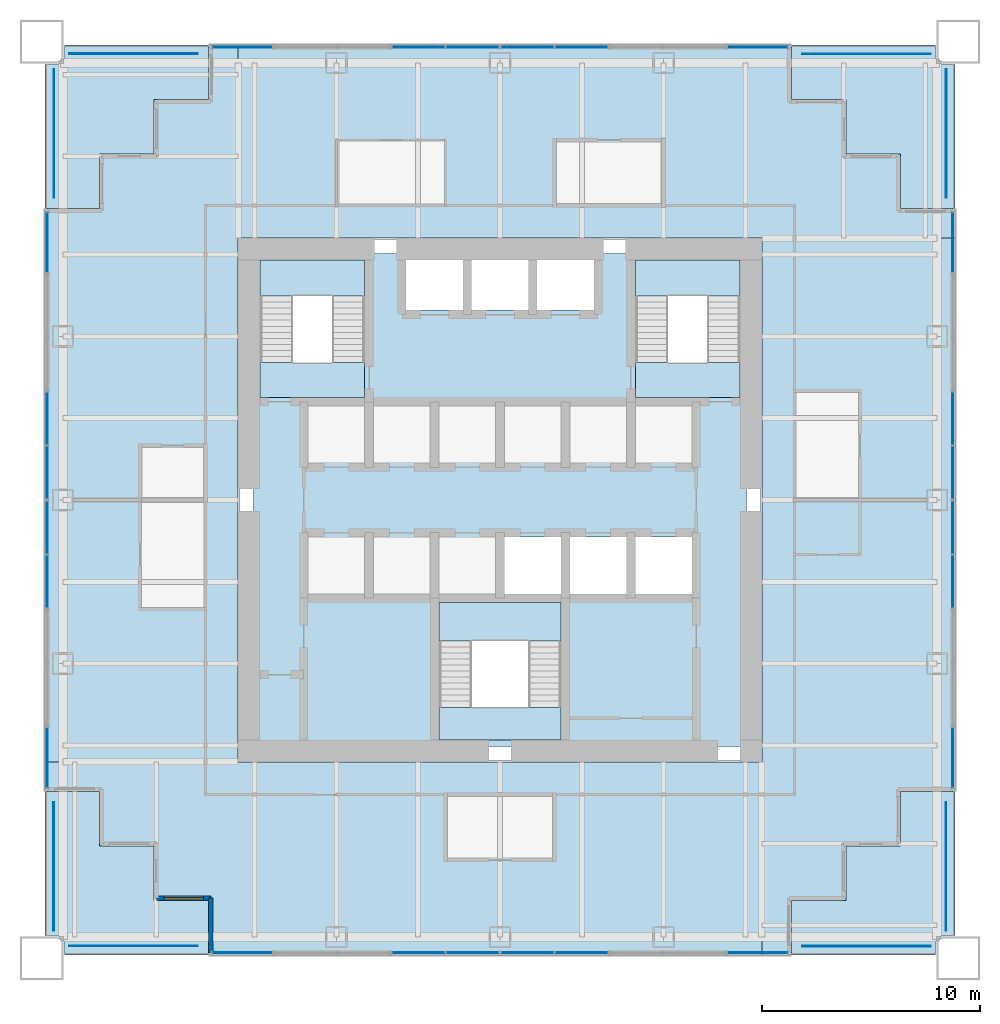
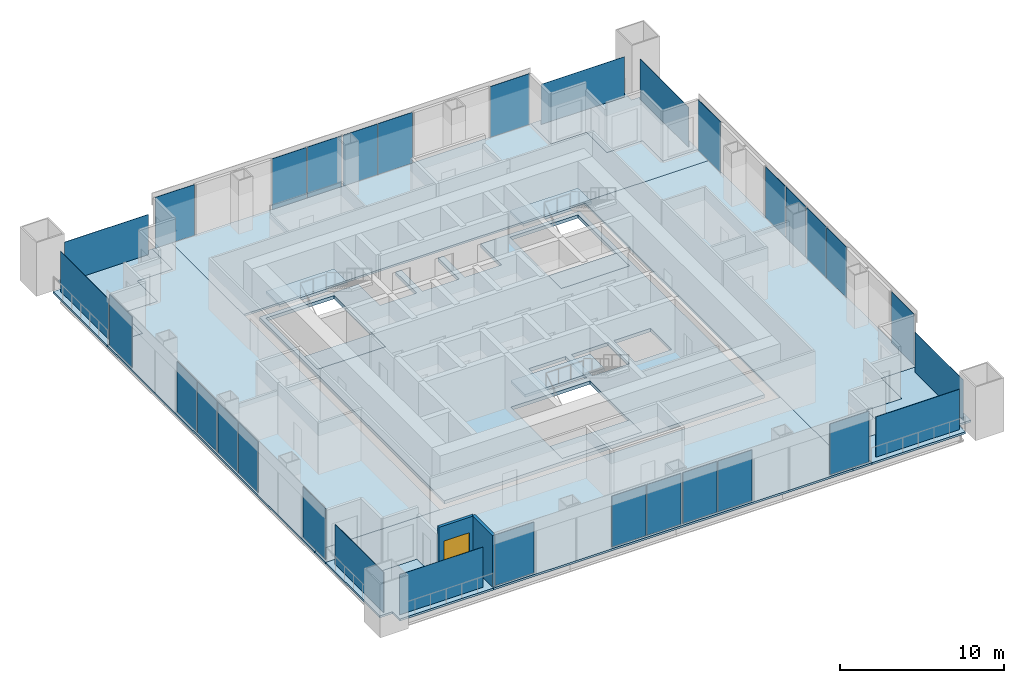
# One storey, part 8 of 14: 32 plates, 15 slabs, 2 walls, 1 window, 1 opening, 19 elements without a shape of their own.
"""IFC4 building model written with IfcOpenShell, lengths in metres."""

from ifc_helpers import new_model, si_unit, direction, frame, frame_2d, origin, origin_2d, place, context, subcontext, project, spatial, polyline, rectangle, outline, extrude, material, layer, layer_set, type_object, element, fill, aggregate, save


model = new_model("IFC4")

# Units and contexts
model_context = context("Model", 3, precision=1e-05, world=origin(), true_north=direction((0.0, 1.0)))
body_context = subcontext(model_context, "Body", "Model", "MODEL_VIEW")
ifc_project = project(units=[si_unit("LENGTHUNIT", "METRE"), si_unit("AREAUNIT", "SQUARE_METRE"), si_unit("VOLUMEUNIT", "CUBIC_METRE"), si_unit("PLANEANGLEUNIT", "RADIAN"), si_unit("MASSUNIT", "GRAM", prefix="KILO")], contexts=[model_context])

# Site, building, storey
site_placement = place(None, origin())
site = spatial("IfcSite", under=ifc_project, at=site_placement, CompositionType="ELEMENT")
building_placement = place(site_placement, origin())
building = spatial("IfcBuilding", under=site, at=building_placement, Name="Tarangal Relay Tower", CompositionType="ELEMENT")
storey_placement = place(building_placement, frame((0.0, 0.0, 283.89990234375)))
storey = spatial("IfcBuildingStorey", under=building, at=storey_placement, Name="L62", CompositionType="ELEMENT", Elevation=283.89990234375)

# Slabs
ifc_material_1 = material(Name="Concrete fc' 35 MPa", Category="concrete")
ifc_layer_1 = layer(ifc_material_1, 0.25)
ifc_layer_set_1 = layer_set([ifc_layer_1], Name="Core floor slab 250")
slab_type_1 = type_object("IfcSlabType", Name="Core floor slab 250", PredefinedType="FLOOR", material=ifc_layer_set_1)
slab_1_placement = place(storey_placement, frame((0.0, 0.0, -0.25)))
element("IfcSlab", 1, at=slab_1_placement, inside=storey, type_object=slab_type_1, Name="Core floor slab L62", PredefinedType="FLOOR", context=body_context, shape_type="SweptSolid", body=[
    extrude(outline(polyline([(11.300048828125, 11.300048828125), (11.300048828125, -11.300048828125), (-11.300048828125, -11.300048828125), (-11.300048828125, 11.300048828125), (-4.300048828125, 11.300048828125), (-4.300048828125, 8.699951171875), (-1.699951171875, 8.699951171875), (-1.699951171875, 11.300048828125), (-1.300048828125, 11.300048828125), (-1.300048828125, 8.699951171875), (1.300048828125, 8.699951171875), (1.300048828125, 11.300048828125), (1.699951171875, 11.300048828125), (1.699951171875, 8.699951171875), (4.300048828125, 8.699951171875), (4.300048828125, 11.300048828125), (11.300048828125, 11.300048828125)]), holes=[polyline([(2.800048828125, -4.699951171875), (-2.800048828125, -4.699951171875), (-2.800048828125, -11.0), (2.800048828125, -11.0), (2.800048828125, -4.699951171875)]), polyline([(2.800048828125, -1.699951171875), (0.199951171875, -1.699951171875), (0.199951171875, -4.300048828125), (2.800048828125, -4.300048828125), (2.800048828125, -1.699951171875)]), polyline([(5.800048828125, -1.699951171875), (3.199951171875, -1.699951171875), (3.199951171875, -4.300048828125), (5.800048828125, -4.300048828125), (5.800048828125, -1.699951171875)]), polyline([(8.800048828125, -1.699951171875), (6.199951171875, -1.699951171875), (6.199951171875, -4.300048828125), (8.800048828125, -4.300048828125), (8.800048828125, -1.699951171875)]), polyline([(-6.199951171875, 11.0), (-11.0, 11.0), (-11.0, 4.699951171875), (-6.199951171875, 4.699951171875), (-6.199951171875, 11.0)]), polyline([(11.0, 11.0), (6.199951171875, 11.0), (6.199951171875, 4.699951171875), (11.0, 4.699951171875), (11.0, 11.0)])]), origin(), (0.0, 0.0, 1.0), 0.25),
])
ifc_layer_2 = layer(ifc_material_1, 0.14990234375)
ifc_layer_set_2 = layer_set([ifc_layer_2], Name="Floor slab 150")
slab_type_2 = type_object("IfcSlabType", Name="Floor slab 150", PredefinedType="FLOOR", material=ifc_layer_set_2)
slab_2_placement = place(storey_placement, frame((0.0, 0.0, -0.14990234375)))
element("IfcSlab", 2, at=slab_2_placement, inside=storey, type_object=slab_type_2, Name="Floor slab FS3 L62 north bay", PredefinedType="FLOOR", context=body_context, shape_type="SweptSolid", body=[
    extrude(outline(polyline([(13.35009765625, 20.85009765625), (13.35009765625, 18.35009765625), (15.85009765625, 18.35009765625), (15.85009765625, 15.85009765625), (18.35009765625, 15.85009765625), (18.35009765625, 13.35009765625), (20.85009765625, 13.35009765625), (20.85009765625, 12.0), (-12.0, 12.0), (-12.0, 20.85009765625), (13.35009765625, 20.85009765625)])), origin(), (0.0, 0.0, 1.0), 0.14990234375),
])
slab_3_placement = place(storey_placement, frame((0.0, 0.0, -0.14990234375)))
element("IfcSlab", 3, at=slab_3_placement, inside=storey, type_object=slab_type_2, Name="Floor slab FS3 L62 east bay", PredefinedType="FLOOR", context=body_context, shape_type="SweptSolid", body=[
    extrude(outline(polyline([(20.85009765625, -13.35009765625), (18.35009765625, -13.35009765625), (18.35009765625, -15.85009765625), (15.85009765625, -15.85009765625), (15.85009765625, -18.35009765625), (13.35009765625, -18.35009765625), (13.35009765625, -20.85009765625), (12.0, -20.85009765625), (12.0, 12.0), (20.85009765625, 12.0), (20.85009765625, -13.35009765625)])), origin(), (0.0, 0.0, 1.0), 0.14990234375),
])
slab_4_placement = place(storey_placement, frame((0.0, 0.0, -0.14990234375)))
element("IfcSlab", 4, at=slab_4_placement, inside=storey, type_object=slab_type_2, Name="Floor slab FS3 L62 south bay", PredefinedType="FLOOR", context=body_context, shape_type="SweptSolid", body=[
    extrude(outline(polyline([(-13.35009765625, -20.85009765625), (-13.35009765625, -18.35009765625), (-15.85009765625, -18.35009765625), (-15.85009765625, -15.85009765625), (-18.35009765625, -15.85009765625), (-18.35009765625, -13.35009765625), (-20.85009765625, -13.35009765625), (-20.85009765625, -12.0), (12.0, -12.0), (12.0, -20.85009765625), (-13.35009765625, -20.85009765625)])), origin(), (0.0, 0.0, 1.0), 0.14990234375),
])
slab_5_placement = place(storey_placement, frame((0.0, 0.0, -0.14990234375)))
element("IfcSlab", 5, at=slab_5_placement, inside=storey, type_object=slab_type_2, Name="Floor slab FS3 L62 west bay", PredefinedType="FLOOR", context=body_context, shape_type="SweptSolid", body=[
    extrude(outline(polyline([(-12.0, 20.85009765625), (-12.0, -12.0), (-20.85009765625, -12.0), (-20.85009765625, 13.35009765625), (-18.35009765625, 13.35009765625), (-18.35009765625, 15.85009765625), (-15.85009765625, 15.85009765625), (-15.85009765625, 18.35009765625), (-13.35009765625, 18.35009765625), (-13.35009765625, 20.85009765625), (-12.0, 20.85009765625)])), origin(), (0.0, 0.0, 1.0), 0.14990234375),
])

# Curtain wall, plate
ifc_material_2 = material(Name="Unitised curtain wall, dark glass and black aluminium", Category="aluminium")
curtain_wall_type = type_object("IfcCurtainWallType", Name="Curtain wall CW-B", PredefinedType="USERDEFINED", material=ifc_material_2)
curtain_wall_1_placement = place(storey_placement, origin())
curtain_wall_1 = element("IfcCurtainWall", 6, at=curtain_wall_1_placement, inside=storey, type_object=curtain_wall_type, Name="Curtain wall CW-B N facade L62", ObjectType="UNITISED CURTAIN WALL", PredefinedType="USERDEFINED")
ifc_material_3 = material(Name="Dark tinted insulated glass unit", Category="glass")
ifc_layer_3 = layer(ifc_material_3, 0.030029296875)
ifc_layer_set_3 = layer_set([ifc_layer_3], Name="Glazed panel CW-B 30")
plate_type_1 = type_object("IfcPlateType", Name="Glazed panel CW-B 30", PredefinedType="CURTAIN_PANEL", material=ifc_layer_set_3)
plate_1_placement = place(storey_placement, frame((-11.8125, 20.75, 0.06005859375), z_axis=(0.0, 0.0, 1.0), x_axis=(1.0, 0.0, 0.0)))
plate_1 = element("IfcPlate", 7, at=plate_1_placement, type_object=plate_type_1, Name="CW-B panel 1.1", PredefinedType="CURTAIN_PANEL", context=body_context, shape_type="SweptSolid", body=[
    extrude(rectangle(XDim=2.7548828125, YDim=0.030029296875, at=origin_2d()), origin(), (0.0, 0.0, 1.0), 3.7900390625),
])
aggregate(curtain_wall_1, [plate_1])

# Curtain wall, plates
curtain_wall_2_placement = place(storey_placement, origin())
curtain_wall_2 = element("IfcCurtainWall", 8, at=curtain_wall_2_placement, inside=storey, type_object=curtain_wall_type, Name="Curtain wall CW-B N facade L62", ObjectType="UNITISED CURTAIN WALL", PredefinedType="USERDEFINED")
plate_2_placement = place(storey_placement, frame((-3.735107421875, 20.75, 0.06005859375), z_axis=(0.0, 0.0, 1.0), x_axis=(1.0, 0.0, 0.0)))
plate_2 = element("IfcPlate", 9, at=plate_2_placement, type_object=plate_type_1, Name="CW-B panel 1.1", PredefinedType="CURTAIN_PANEL", context=body_context, shape_type="SweptSolid", body=[
    extrude(rectangle(XDim=2.409912109375, YDim=0.030029296875, at=origin_2d()), origin(), (0.0, 0.0, 1.0), 3.7900390625),
])
plate_3_placement = place(storey_placement, frame((-1.264892578125, 20.75, 0.06005859375), z_axis=(0.0, 0.0, 1.0), x_axis=(1.0, 0.0, 0.0)))
plate_3 = element("IfcPlate", 10, at=plate_3_placement, type_object=plate_type_1, Name="CW-B panel 2.1", PredefinedType="CURTAIN_PANEL", context=body_context, shape_type="SweptSolid", body=[
    extrude(rectangle(XDim=2.409912109375, YDim=0.030029296875, at=origin_2d()), origin(), (0.0, 0.0, 1.0), 3.7900390625),
])
aggregate(curtain_wall_2, [plate_2, plate_3])

curtain_wall_3_placement = place(storey_placement, origin())
curtain_wall_3 = element("IfcCurtainWall", 11, at=curtain_wall_3_placement, inside=storey, type_object=curtain_wall_type, Name="Curtain wall CW-B N facade L62", ObjectType="UNITISED CURTAIN WALL", PredefinedType="USERDEFINED")
plate_4_placement = place(storey_placement, frame((1.264892578125, 20.75, 0.06005859375), z_axis=(0.0, 0.0, 1.0), x_axis=(1.0, 0.0, 0.0)))
plate_4 = element("IfcPlate", 12, at=plate_4_placement, type_object=plate_type_1, Name="CW-B panel 1.1", PredefinedType="CURTAIN_PANEL", context=body_context, shape_type="SweptSolid", body=[
    extrude(rectangle(XDim=2.409912109375, YDim=0.030029296875, at=origin_2d()), origin(), (0.0, 0.0, 1.0), 3.7900390625),
])
plate_5_placement = place(storey_placement, frame((3.735107421875, 20.75, 0.06005859375), z_axis=(0.0, 0.0, 1.0), x_axis=(1.0, 0.0, 0.0)))
plate_5 = element("IfcPlate", 13, at=plate_5_placement, type_object=plate_type_1, Name="CW-B panel 2.1", PredefinedType="CURTAIN_PANEL", context=body_context, shape_type="SweptSolid", body=[
    extrude(rectangle(XDim=2.409912109375, YDim=0.030029296875, at=origin_2d()), origin(), (0.0, 0.0, 1.0), 3.7900390625),
])
aggregate(curtain_wall_3, [plate_4, plate_5])

# Curtain wall, plate
curtain_wall_4_placement = place(storey_placement, origin())
curtain_wall_4 = element("IfcCurtainWall", 14, at=curtain_wall_4_placement, inside=storey, type_object=curtain_wall_type, Name="Curtain wall CW-B N facade L62", ObjectType="UNITISED CURTAIN WALL", PredefinedType="USERDEFINED")
plate_6_placement = place(storey_placement, frame((11.8125, 20.75, 0.06005859375), z_axis=(0.0, 0.0, 1.0), x_axis=(1.0, 0.0, 0.0)))
plate_6 = element("IfcPlate", 15, at=plate_6_placement, type_object=plate_type_1, Name="CW-B panel 1.1", PredefinedType="CURTAIN_PANEL", context=body_context, shape_type="SweptSolid", body=[
    extrude(rectangle(XDim=2.7548828125, YDim=0.030029296875, at=origin_2d()), origin(), (0.0, 0.0, 1.0), 3.7900390625),
])
aggregate(curtain_wall_4, [plate_6])

curtain_wall_5_placement = place(storey_placement, origin())
curtain_wall_5 = element("IfcCurtainWall", 16, at=curtain_wall_5_placement, inside=storey, type_object=curtain_wall_type, Name="Curtain wall CW-B E facade L62", ObjectType="UNITISED CURTAIN WALL", PredefinedType="USERDEFINED")
plate_7_placement = place(storey_placement, frame((20.75, 11.8125, 0.06005859375), z_axis=(0.0, 0.0, 1.0), x_axis=(0.0, -1.0, 0.0)))
plate_7 = element("IfcPlate", 17, at=plate_7_placement, type_object=plate_type_1, Name="CW-B panel 1.1", PredefinedType="CURTAIN_PANEL", context=body_context, shape_type="SweptSolid", body=[
    extrude(rectangle(XDim=2.7548828125, YDim=0.030029296875, at=origin_2d()), origin(), (0.0, 0.0, 1.0), 3.7900390625),
])
aggregate(curtain_wall_5, [plate_7])

# Curtain wall, plates
curtain_wall_6_placement = place(storey_placement, origin())
curtain_wall_6 = element("IfcCurtainWall", 18, at=curtain_wall_6_placement, inside=storey, type_object=curtain_wall_type, Name="Curtain wall CW-B E facade L62", ObjectType="UNITISED CURTAIN WALL", PredefinedType="USERDEFINED")
plate_8_placement = place(storey_placement, frame((20.75, 3.735107421875, 0.06005859375), z_axis=(0.0, 0.0, 1.0), x_axis=(0.0, -1.0, 0.0)))
plate_8 = element("IfcPlate", 19, at=plate_8_placement, type_object=plate_type_1, Name="CW-B panel 1.1", PredefinedType="CURTAIN_PANEL", context=body_context, shape_type="SweptSolid", body=[
    extrude(rectangle(XDim=2.409912109375, YDim=0.030029296875, at=origin_2d()), origin(), (0.0, 0.0, 1.0), 3.7900390625),
])
plate_9_placement = place(storey_placement, frame((20.75, 1.264892578125, 0.06005859375), z_axis=(0.0, 0.0, 1.0), x_axis=(0.0, -1.0, 0.0)))
plate_9 = element("IfcPlate", 20, at=plate_9_placement, type_object=plate_type_1, Name="CW-B panel 2.1", PredefinedType="CURTAIN_PANEL", context=body_context, shape_type="SweptSolid", body=[
    extrude(rectangle(XDim=2.409912109375, YDim=0.030029296875, at=origin_2d()), origin(), (0.0, 0.0, 1.0), 3.7900390625),
])
aggregate(curtain_wall_6, [plate_8, plate_9])

curtain_wall_7_placement = place(storey_placement, origin())
curtain_wall_7 = element("IfcCurtainWall", 21, at=curtain_wall_7_placement, inside=storey, type_object=curtain_wall_type, Name="Curtain wall CW-B E facade L62", ObjectType="UNITISED CURTAIN WALL", PredefinedType="USERDEFINED")
plate_10_placement = place(storey_placement, frame((20.75, -1.264892578125, 0.06005859375), z_axis=(0.0, 0.0, 1.0), x_axis=(0.0, -1.0, 0.0)))
plate_10 = element("IfcPlate", 22, at=plate_10_placement, type_object=plate_type_1, Name="CW-B panel 1.1", PredefinedType="CURTAIN_PANEL", context=body_context, shape_type="SweptSolid", body=[
    extrude(rectangle(XDim=2.409912109375, YDim=0.030029296875, at=origin_2d()), origin(), (0.0, 0.0, 1.0), 3.7900390625),
])
plate_11_placement = place(storey_placement, frame((20.75, -3.735107421875, 0.06005859375), z_axis=(0.0, 0.0, 1.0), x_axis=(0.0, -1.0, 0.0)))
plate_11 = element("IfcPlate", 23, at=plate_11_placement, type_object=plate_type_1, Name="CW-B panel 2.1", PredefinedType="CURTAIN_PANEL", context=body_context, shape_type="SweptSolid", body=[
    extrude(rectangle(XDim=2.409912109375, YDim=0.030029296875, at=origin_2d()), origin(), (0.0, 0.0, 1.0), 3.7900390625),
])
aggregate(curtain_wall_7, [plate_10, plate_11])

# Curtain wall, plate
curtain_wall_8_placement = place(storey_placement, origin())
curtain_wall_8 = element("IfcCurtainWall", 24, at=curtain_wall_8_placement, inside=storey, type_object=curtain_wall_type, Name="Curtain wall CW-B E facade L62", ObjectType="UNITISED CURTAIN WALL", PredefinedType="USERDEFINED")
plate_12_placement = place(storey_placement, frame((20.75, -11.8125, 0.06005859375), z_axis=(0.0, 0.0, 1.0), x_axis=(0.0, -1.0, 0.0)))
plate_12 = element("IfcPlate", 25, at=plate_12_placement, type_object=plate_type_1, Name="CW-B panel 1.1", PredefinedType="CURTAIN_PANEL", context=body_context, shape_type="SweptSolid", body=[
    extrude(rectangle(XDim=2.7548828125, YDim=0.030029296875, at=origin_2d()), origin(), (0.0, 0.0, 1.0), 3.7900390625),
])
aggregate(curtain_wall_8, [plate_12])

curtain_wall_9_placement = place(storey_placement, origin())
curtain_wall_9 = element("IfcCurtainWall", 26, at=curtain_wall_9_placement, inside=storey, type_object=curtain_wall_type, Name="Curtain wall CW-B S facade L62", ObjectType="UNITISED CURTAIN WALL", PredefinedType="USERDEFINED")
plate_13_placement = place(storey_placement, frame((11.8125, -20.75, 0.06005859375), z_axis=(0.0, 0.0, 1.0), x_axis=(-1.0, 0.0, 0.0)))
plate_13 = element("IfcPlate", 27, at=plate_13_placement, type_object=plate_type_1, Name="CW-B panel 1.1", PredefinedType="CURTAIN_PANEL", context=body_context, shape_type="SweptSolid", body=[
    extrude(rectangle(XDim=2.7548828125, YDim=0.030029296875, at=origin_2d()), origin(), (0.0, 0.0, 1.0), 3.7900390625),
])
aggregate(curtain_wall_9, [plate_13])

# Curtain wall, plates
curtain_wall_10_placement = place(storey_placement, origin())
curtain_wall_10 = element("IfcCurtainWall", 28, at=curtain_wall_10_placement, inside=storey, type_object=curtain_wall_type, Name="Curtain wall CW-B S facade L62", ObjectType="UNITISED CURTAIN WALL", PredefinedType="USERDEFINED")
plate_14_placement = place(storey_placement, frame((3.735107421875, -20.75, 0.06005859375), z_axis=(0.0, 0.0, 1.0), x_axis=(-1.0, 0.0, 0.0)))
plate_14 = element("IfcPlate", 29, at=plate_14_placement, type_object=plate_type_1, Name="CW-B panel 1.1", PredefinedType="CURTAIN_PANEL", context=body_context, shape_type="SweptSolid", body=[
    extrude(rectangle(XDim=2.409912109375, YDim=0.030029296875, at=origin_2d()), origin(), (0.0, 0.0, 1.0), 3.7900390625),
])
plate_15_placement = place(storey_placement, frame((1.264892578125, -20.75, 0.06005859375), z_axis=(0.0, 0.0, 1.0), x_axis=(-1.0, 0.0, 0.0)))
plate_15 = element("IfcPlate", 30, at=plate_15_placement, type_object=plate_type_1, Name="CW-B panel 2.1", PredefinedType="CURTAIN_PANEL", context=body_context, shape_type="SweptSolid", body=[
    extrude(rectangle(XDim=2.409912109375, YDim=0.030029296875, at=origin_2d()), origin(), (0.0, 0.0, 1.0), 3.7900390625),
])
aggregate(curtain_wall_10, [plate_14, plate_15])

curtain_wall_11_placement = place(storey_placement, origin())
curtain_wall_11 = element("IfcCurtainWall", 31, at=curtain_wall_11_placement, inside=storey, type_object=curtain_wall_type, Name="Curtain wall CW-B S facade L62", ObjectType="UNITISED CURTAIN WALL", PredefinedType="USERDEFINED")
plate_16_placement = place(storey_placement, frame((-1.264892578125, -20.75, 0.06005859375), z_axis=(0.0, 0.0, 1.0), x_axis=(-1.0, 0.0, 0.0)))
plate_16 = element("IfcPlate", 32, at=plate_16_placement, type_object=plate_type_1, Name="CW-B panel 1.1", PredefinedType="CURTAIN_PANEL", context=body_context, shape_type="SweptSolid", body=[
    extrude(rectangle(XDim=2.409912109375, YDim=0.030029296875, at=origin_2d()), origin(), (0.0, 0.0, 1.0), 3.7900390625),
])
plate_17_placement = place(storey_placement, frame((-3.735107421875, -20.75, 0.06005859375), z_axis=(0.0, 0.0, 1.0), x_axis=(-1.0, 0.0, 0.0)))
plate_17 = element("IfcPlate", 33, at=plate_17_placement, type_object=plate_type_1, Name="CW-B panel 2.1", PredefinedType="CURTAIN_PANEL", context=body_context, shape_type="SweptSolid", body=[
    extrude(rectangle(XDim=2.409912109375, YDim=0.030029296875, at=origin_2d()), origin(), (0.0, 0.0, 1.0), 3.7900390625),
])
aggregate(curtain_wall_11, [plate_16, plate_17])

# Curtain wall, plate
curtain_wall_12_placement = place(storey_placement, origin())
curtain_wall_12 = element("IfcCurtainWall", 34, at=curtain_wall_12_placement, inside=storey, type_object=curtain_wall_type, Name="Curtain wall CW-B S facade L62", ObjectType="UNITISED CURTAIN WALL", PredefinedType="USERDEFINED")
plate_18_placement = place(storey_placement, frame((-11.8125, -20.75, 0.06005859375), z_axis=(0.0, 0.0, 1.0), x_axis=(-1.0, 0.0, 0.0)))
plate_18 = element("IfcPlate", 35, at=plate_18_placement, type_object=plate_type_1, Name="CW-B panel 1.1", PredefinedType="CURTAIN_PANEL", context=body_context, shape_type="SweptSolid", body=[
    extrude(rectangle(XDim=2.7548828125, YDim=0.030029296875, at=origin_2d()), origin(), (0.0, 0.0, 1.0), 3.7900390625),
])
aggregate(curtain_wall_12, [plate_18])

curtain_wall_13_placement = place(storey_placement, origin())
curtain_wall_13 = element("IfcCurtainWall", 36, at=curtain_wall_13_placement, inside=storey, type_object=curtain_wall_type, Name="Curtain wall CW-B W facade L62", ObjectType="UNITISED CURTAIN WALL", PredefinedType="USERDEFINED")
plate_19_placement = place(storey_placement, frame((-20.75, -11.8125, 0.06005859375), z_axis=(0.0, 0.0, 1.0), x_axis=(0.0, 1.0, 0.0)))
plate_19 = element("IfcPlate", 37, at=plate_19_placement, type_object=plate_type_1, Name="CW-B panel 1.1", PredefinedType="CURTAIN_PANEL", context=body_context, shape_type="SweptSolid", body=[
    extrude(rectangle(XDim=2.7548828125, YDim=0.030029296875, at=origin_2d()), origin(), (0.0, 0.0, 1.0), 3.7900390625),
])
aggregate(curtain_wall_13, [plate_19])

# Curtain wall, plates
curtain_wall_14_placement = place(storey_placement, origin())
curtain_wall_14 = element("IfcCurtainWall", 38, at=curtain_wall_14_placement, inside=storey, type_object=curtain_wall_type, Name="Curtain wall CW-B W facade L62", ObjectType="UNITISED CURTAIN WALL", PredefinedType="USERDEFINED")
plate_20_placement = place(storey_placement, frame((-20.75, -3.735107421875, 0.06005859375), z_axis=(0.0, 0.0, 1.0), x_axis=(0.0, 1.0, 0.0)))
plate_20 = element("IfcPlate", 39, at=plate_20_placement, type_object=plate_type_1, Name="CW-B panel 1.1", PredefinedType="CURTAIN_PANEL", context=body_context, shape_type="SweptSolid", body=[
    extrude(rectangle(XDim=2.409912109375, YDim=0.030029296875, at=origin_2d()), origin(), (0.0, 0.0, 1.0), 3.7900390625),
])
plate_21_placement = place(storey_placement, frame((-20.75, -1.264892578125, 0.06005859375), z_axis=(0.0, 0.0, 1.0), x_axis=(0.0, 1.0, 0.0)))
plate_21 = element("IfcPlate", 40, at=plate_21_placement, type_object=plate_type_1, Name="CW-B panel 2.1", PredefinedType="CURTAIN_PANEL", context=body_context, shape_type="SweptSolid", body=[
    extrude(rectangle(XDim=2.409912109375, YDim=0.030029296875, at=origin_2d()), origin(), (0.0, 0.0, 1.0), 3.7900390625),
])
aggregate(curtain_wall_14, [plate_20, plate_21])

curtain_wall_15_placement = place(storey_placement, origin())
curtain_wall_15 = element("IfcCurtainWall", 41, at=curtain_wall_15_placement, inside=storey, type_object=curtain_wall_type, Name="Curtain wall CW-B W facade L62", ObjectType="UNITISED CURTAIN WALL", PredefinedType="USERDEFINED")
plate_22_placement = place(storey_placement, frame((-20.75, 1.264892578125, 0.06005859375), z_axis=(0.0, 0.0, 1.0), x_axis=(0.0, 1.0, 0.0)))
plate_22 = element("IfcPlate", 42, at=plate_22_placement, type_object=plate_type_1, Name="CW-B panel 1.1", PredefinedType="CURTAIN_PANEL", context=body_context, shape_type="SweptSolid", body=[
    extrude(rectangle(XDim=2.409912109375, YDim=0.030029296875, at=origin_2d()), origin(), (0.0, 0.0, 1.0), 3.7900390625),
])
plate_23_placement = place(storey_placement, frame((-20.75, 3.735107421875, 0.06005859375), z_axis=(0.0, 0.0, 1.0), x_axis=(0.0, 1.0, 0.0)))
plate_23 = element("IfcPlate", 43, at=plate_23_placement, type_object=plate_type_1, Name="CW-B panel 2.1", PredefinedType="CURTAIN_PANEL", context=body_context, shape_type="SweptSolid", body=[
    extrude(rectangle(XDim=2.409912109375, YDim=0.030029296875, at=origin_2d()), origin(), (0.0, 0.0, 1.0), 3.7900390625),
])
aggregate(curtain_wall_15, [plate_22, plate_23])

# Curtain wall, plate
curtain_wall_16_placement = place(storey_placement, origin())
curtain_wall_16 = element("IfcCurtainWall", 44, at=curtain_wall_16_placement, inside=storey, type_object=curtain_wall_type, Name="Curtain wall CW-B W facade L62", ObjectType="UNITISED CURTAIN WALL", PredefinedType="USERDEFINED")
plate_24_placement = place(storey_placement, frame((-20.75, 11.8125, 0.06005859375), z_axis=(0.0, 0.0, 1.0), x_axis=(0.0, 1.0, 0.0)))
plate_24 = element("IfcPlate", 45, at=plate_24_placement, type_object=plate_type_1, Name="CW-B panel 1.1", PredefinedType="CURTAIN_PANEL", context=body_context, shape_type="SweptSolid", body=[
    extrude(rectangle(XDim=2.7548828125, YDim=0.030029296875, at=origin_2d()), origin(), (0.0, 0.0, 1.0), 3.7900390625),
])
aggregate(curtain_wall_16, [plate_24])

# Plates
ifc_material_4 = material(Name="Black stainless steel cable trellis with climbing planting", Category="steel")
ifc_layer_4 = layer(ifc_material_4, 0.030029296875)
ifc_layer_set_4 = layer_set([ifc_layer_4], Name="Planted trellis screen")
plate_type_2 = type_object("IfcPlateType", Name="Planted trellis screen", PredefinedType="SHEET", material=ifc_layer_set_4)
for number, where, z_axis, x_axis, name in (
    (46, (20.449951171875, 16.800048828125, 0.0), (0.0, 0.0, 1.0), (0.0, -1.0, 0.0), "Planted trellis SC2 NE L62"),
    (47, (16.800048828125, -20.449951171875, 0.0), (0.0, 0.0, 1.0), (-1.0, 0.0, 0.0), "Planted trellis SC2 SE L62"),
    (48, (-20.449951171875, -16.800048828125, 0.0), (0.0, 0.0, 1.0), (0.0, 1.0, 0.0), "Planted trellis SC2 SW L62"),
    (49, (-16.800048828125, 20.449951171875, 0.0), (0.0, 0.0, 1.0), (1.0, 0.0, 0.0), "Planted trellis SC2 NW L62"),
):
    element("IfcPlate", number, at=place(storey_placement, frame(where, z_axis=z_axis, x_axis=x_axis)), inside=storey, type_object=plate_type_2, Name=name, PredefinedType="SHEET", context=body_context, shape_type="SweptSolid", body=[
        extrude(rectangle(XDim=5.89990234375, YDim=0.030029296875, at=origin_2d()), origin(), (0.0, 0.0, 1.0), 3.0),
    ])

# Stair, slabs
ifc_material_5 = material(Name="Steel ASTM A992 stair flight", Category="steel")
stair_type = type_object("IfcStairType", Name="Core stair 1500", PredefinedType="HALF_TURN_STAIR", material=ifc_material_5)
stair_1_placement = place(storey_placement, origin())
stair_1 = element("IfcStair", 50, at=stair_1_placement, inside=storey, type_object=stair_type, Name="Stair ST-A L62", PredefinedType="HALF_TURN_STAIR")
ifc_layer_5 = layer(ifc_material_1, 0.199951171875)
ifc_layer_set_5 = layer_set([ifc_layer_5], Name="Stair landing 200")
slab_type_3 = type_object("IfcSlabType", Name="Stair landing 200", PredefinedType="LANDING", material=ifc_layer_set_5)
slab_6_placement = place(storey_placement, frame((0.0, 0.0, -0.199951171875)))
slab_6 = element("IfcSlab", 51, at=slab_6_placement, type_object=slab_type_3, Name="ST-A landing 1", PredefinedType="LANDING", context=body_context, shape_type="SweptSolid", body=[
    extrude(outline(polyline([(-11.0, 4.699951171875), (-6.199951171875, 4.699951171875), (-6.199951171875, 6.300048828125), (-11.0, 6.300048828125), (-11.0, 4.699951171875)])), origin(), (0.0, 0.0, 1.0), 0.199951171875),
])
slab_7_placement = place(storey_placement, frame((0.0, 0.0, 1.800048828125)))
slab_7 = element("IfcSlab", 52, at=slab_7_placement, type_object=slab_type_3, Name="ST-A landing 2", PredefinedType="LANDING", context=body_context, shape_type="SweptSolid", body=[
    extrude(outline(polyline([(-11.0, 9.346923828125), (-6.199951171875, 9.346923828125), (-6.199951171875, 11.0), (-11.0, 11.0), (-11.0, 9.346923828125)])), origin(), (0.0, 0.0, 1.0), 0.199951171875),
])
aggregate(stair_1, [slab_6, slab_7])

stair_2_placement = place(storey_placement, origin())
stair_2 = element("IfcStair", 53, at=stair_2_placement, inside=storey, type_object=stair_type, Name="Stair ST-B L62", PredefinedType="HALF_TURN_STAIR")
slab_8_placement = place(storey_placement, frame((0.0, 0.0, -0.199951171875)))
slab_8 = element("IfcSlab", 54, at=slab_8_placement, type_object=slab_type_3, Name="ST-B landing 1", PredefinedType="LANDING", context=body_context, shape_type="SweptSolid", body=[
    extrude(outline(polyline([(6.199951171875, 4.699951171875), (11.0, 4.699951171875), (11.0, 6.300048828125), (6.199951171875, 6.300048828125), (6.199951171875, 4.699951171875)])), origin(), (0.0, 0.0, 1.0), 0.199951171875),
])
slab_9_placement = place(storey_placement, frame((0.0, 0.0, 1.800048828125)))
slab_9 = element("IfcSlab", 55, at=slab_9_placement, type_object=slab_type_3, Name="ST-B landing 2", PredefinedType="LANDING", context=body_context, shape_type="SweptSolid", body=[
    extrude(outline(polyline([(6.199951171875, 9.346923828125), (11.0, 9.346923828125), (11.0, 11.0), (6.199951171875, 11.0), (6.199951171875, 9.346923828125)])), origin(), (0.0, 0.0, 1.0), 0.199951171875),
])
aggregate(stair_2, [slab_8, slab_9])

stair_3_placement = place(storey_placement, origin())
stair_3 = element("IfcStair", 56, at=stair_3_placement, inside=storey, type_object=stair_type, Name="Stair ST-C L62", PredefinedType="HALF_TURN_STAIR")
slab_10_placement = place(storey_placement, frame((0.0, 0.0, -0.199951171875)))
slab_10 = element("IfcSlab", 57, at=slab_10_placement, type_object=slab_type_3, Name="ST-C landing 1", PredefinedType="LANDING", context=body_context, shape_type="SweptSolid", body=[
    extrude(outline(polyline([(-2.800048828125, -11.0), (2.800048828125, -11.0), (2.800048828125, -9.5), (-2.800048828125, -9.5), (-2.800048828125, -11.0)])), origin(), (0.0, 0.0, 1.0), 0.199951171875),
])
slab_11_placement = place(storey_placement, frame((0.0, 0.0, 1.800048828125)))
slab_11 = element("IfcSlab", 58, at=slab_11_placement, type_object=slab_type_3, Name="ST-C landing 2", PredefinedType="LANDING", context=body_context, shape_type="SweptSolid", body=[
    extrude(outline(polyline([(-2.800048828125, -6.452880859375), (2.800048828125, -6.452880859375), (2.800048828125, -4.699951171875), (-2.800048828125, -4.699951171875), (-2.800048828125, -6.452880859375)])), origin(), (0.0, 0.0, 1.0), 0.199951171875),
])
aggregate(stair_3, [slab_10, slab_11])

# Plates
ifc_material_6 = material(Name="Perforated black aluminium screen", Category="aluminium")
ifc_layer_6 = layer(ifc_material_6, 0.02001953125)
ifc_layer_set_6 = layer_set([ifc_layer_6], Name="Terrace screen panel")
plate_type_3 = type_object("IfcPlateType", Name="Terrace screen panel", PredefinedType="SHEET", material=ifc_layer_set_6)
for number, where, z_axis, x_axis, name in (
    (59, (16.800048828125, 20.449951171875, 0.0), (0.0, 0.0, 1.0), (1.0, 0.0, 0.0), "Terrace screen SC1 NE L62"),
    (60, (20.449951171875, -16.800048828125, 0.0), (0.0, 0.0, 1.0), (0.0, -1.0, 0.0), "Terrace screen SC1 SE L62"),
    (61, (-16.800048828125, -20.449951171875, 0.0), (0.0, 0.0, 1.0), (-1.0, 0.0, 0.0), "Terrace screen SC1 SW L62"),
    (62, (-20.449951171875, 16.800048828125, 0.0), (0.0, 0.0, 1.0), (0.0, 1.0, 0.0), "Terrace screen SC1 NW L62"),
):
    element("IfcPlate", number, at=place(storey_placement, frame(where, z_axis=z_axis, x_axis=x_axis)), inside=storey, type_object=plate_type_3, Name=name, PredefinedType="SHEET", context=body_context, shape_type="SweptSolid", body=[
        extrude(rectangle(XDim=5.89990234375, YDim=0.02001953125, at=origin_2d()), origin(), (0.0, 0.0, 1.0), 3.0),
    ])

# Slabs
ifc_layer_7 = layer(ifc_material_1, 0.14990234375)
ifc_layer_set_7 = layer_set([ifc_layer_7], Name="Terrace slab 150")
slab_type_4 = type_object("IfcSlabType", Name="Terrace slab 150", PredefinedType="FLOOR", material=ifc_layer_set_7)
slab_12_placement = place(storey_placement, frame((0.0, 0.0, -0.14990234375)))
element("IfcSlab", 63, at=slab_12_placement, inside=storey, type_object=slab_type_4, Name="Corner terrace NE L62", PredefinedType="FLOOR", context=body_context, shape_type="SweptSolid", body=[
    extrude(outline(polyline([(13.35009765625, 20.85009765625), (13.35009765625, 18.35009765625), (15.85009765625, 18.35009765625), (15.85009765625, 15.85009765625), (18.35009765625, 15.85009765625), (18.35009765625, 13.35009765625), (20.85009765625, 13.35009765625), (20.85009765625, 19.949951171875), (19.949951171875, 19.949951171875), (19.949951171875, 20.85009765625), (13.35009765625, 20.85009765625)])), origin(), (0.0, 0.0, 1.0), 0.14990234375),
])
slab_13_placement = place(storey_placement, frame((0.0, 0.0, -0.14990234375)))
element("IfcSlab", 64, at=slab_13_placement, inside=storey, type_object=slab_type_4, Name="Corner terrace SE L62", PredefinedType="FLOOR", context=body_context, shape_type="SweptSolid", body=[
    extrude(outline(polyline([(20.85009765625, -13.35009765625), (18.35009765625, -13.35009765625), (18.35009765625, -15.85009765625), (15.85009765625, -15.85009765625), (15.85009765625, -18.35009765625), (13.35009765625, -18.35009765625), (13.35009765625, -20.85009765625), (19.949951171875, -20.85009765625), (19.949951171875, -19.949951171875), (20.85009765625, -19.949951171875), (20.85009765625, -13.35009765625)])), origin(), (0.0, 0.0, 1.0), 0.14990234375),
])
slab_14_placement = place(storey_placement, frame((0.0, 0.0, -0.14990234375)))
element("IfcSlab", 65, at=slab_14_placement, inside=storey, type_object=slab_type_4, Name="Corner terrace SW L62", PredefinedType="FLOOR", context=body_context, shape_type="SweptSolid", body=[
    extrude(outline(polyline([(-13.35009765625, -20.85009765625), (-13.35009765625, -18.35009765625), (-15.85009765625, -18.35009765625), (-15.85009765625, -15.85009765625), (-18.35009765625, -15.85009765625), (-18.35009765625, -13.35009765625), (-20.85009765625, -13.35009765625), (-20.85009765625, -19.949951171875), (-19.949951171875, -19.949951171875), (-19.949951171875, -20.85009765625), (-13.35009765625, -20.85009765625)])), origin(), (0.0, 0.0, 1.0), 0.14990234375),
])
slab_15_placement = place(storey_placement, frame((0.0, 0.0, -0.14990234375)))
element("IfcSlab", 66, at=slab_15_placement, inside=storey, type_object=slab_type_4, Name="Corner terrace NW L62", PredefinedType="FLOOR", context=body_context, shape_type="SweptSolid", body=[
    extrude(outline(polyline([(-20.85009765625, 13.35009765625), (-18.35009765625, 13.35009765625), (-18.35009765625, 15.85009765625), (-15.85009765625, 15.85009765625), (-15.85009765625, 18.35009765625), (-13.35009765625, 18.35009765625), (-13.35009765625, 20.85009765625), (-19.949951171875, 20.85009765625), (-19.949951171875, 19.949951171875), (-20.85009765625, 19.949951171875), (-20.85009765625, 13.35009765625)])), origin(), (0.0, 0.0, 1.0), 0.14990234375),
])

# Wall
ifc_material_7 = material(Name="Black metal clad insulated wall", Category="steel")
ifc_layer_8 = layer(ifc_material_7, 0.199951171875)
ifc_layer_set_8 = layer_set([ifc_layer_8], Name="Corner wall metal clad 200")
wall_type = type_object("IfcWallType", Name="Corner wall metal clad 200", PredefinedType="SOLIDWALL", material=ifc_layer_set_8)
wall_1_placement = place(storey_placement, frame((-13.25, -20.75, 0.0), z_axis=(0.0, 0.0, 1.0), x_axis=(0.0, 1.0, 0.0)))
element("IfcWall", 67, at=wall_1_placement, inside=storey, type_object=wall_type, Name="Facade wall S facade L62", PredefinedType="SOLIDWALL", context=body_context, shape_type="SweptSolid", body=[
    extrude(rectangle(XDim=2.5, YDim=0.199951171875, at=frame_2d((1.25, 0.0))), origin(), (0.0, 0.0, 1.0), 3.85009765625),
])

# Wall, opening, window
wall_2_placement = place(storey_placement, frame((-13.25, -18.25, 0.0), z_axis=(0.0, 0.0, 1.0), x_axis=(-1.0, 0.0, 0.0)))
wall_2 = element("IfcWall", 68, at=wall_2_placement, inside=storey, type_object=wall_type, Name="Facade wall S facade L62", PredefinedType="SOLIDWALL", context=body_context, shape_type="SweptSolid", body=[
    extrude(rectangle(XDim=2.5, YDim=0.199951171875, at=frame_2d((1.25, 0.0))), origin(), (0.0, 0.0, 1.0), 3.85009765625),
])
opening_placement = place(wall_2_placement, frame((0.35009765625, 0.0, 0.300048828125)))
opening = element("IfcOpeningElement", 69, at=opening_placement, cuts=wall_2, Name="Opening WN2", PredefinedType="OPENING", context=body_context, shape_type="SweptSolid", body=[
    extrude(rectangle(XDim=1.800048828125, YDim=2.39990234375, at=frame_2d((0.89990234375, 1.199951171875))), frame((0.0, 0.10986328125, 0.0), z_axis=(0.0, -1.0, 0.0), x_axis=(1.0, 0.0, 0.0)), (0.0, 0.0, 1.0), 0.219970703125),
])
ifc_material_8 = material(Name="Dark tinted double glazing in black aluminium frame", Category="aluminium")
window_type = type_object("IfcWindowType", Name="Corner window 1800 x 2400", PartitioningType="SINGLE_PANEL", PredefinedType="WINDOW", material=ifc_material_8)
window_placement = place(opening_placement, origin())
window = element("IfcWindow", 70, at=window_placement, inside=storey, type_object=window_type, Name="Corner window WN2 S facade L62", OverallHeight=2.39990234375, OverallWidth=1.800048828125, PartitioningType="SINGLE_PANEL", PredefinedType="WINDOW", context=body_context, shape_type="SweptSolid", body=[
    extrude(rectangle(XDim=1.800048828125, YDim=2.39990234375, at=frame_2d((0.89990234375, 1.199951171875))), frame((0.0, 0.030029296875, 0.0), z_axis=(0.0, -1.0, 0.0), x_axis=(1.0, 0.0, 0.0)), (0.0, 0.0, 1.0), 0.06005859375),
])
fill(opening, window)

save(model, "model.ifc")
